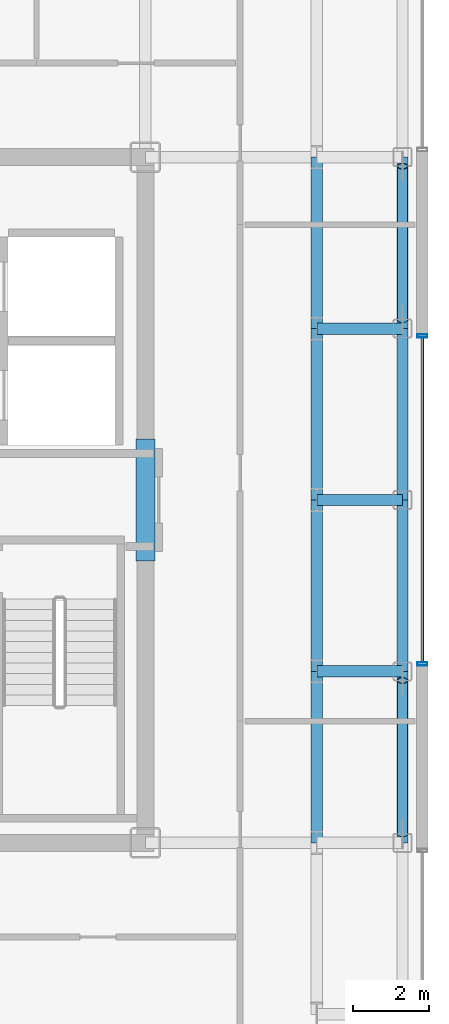
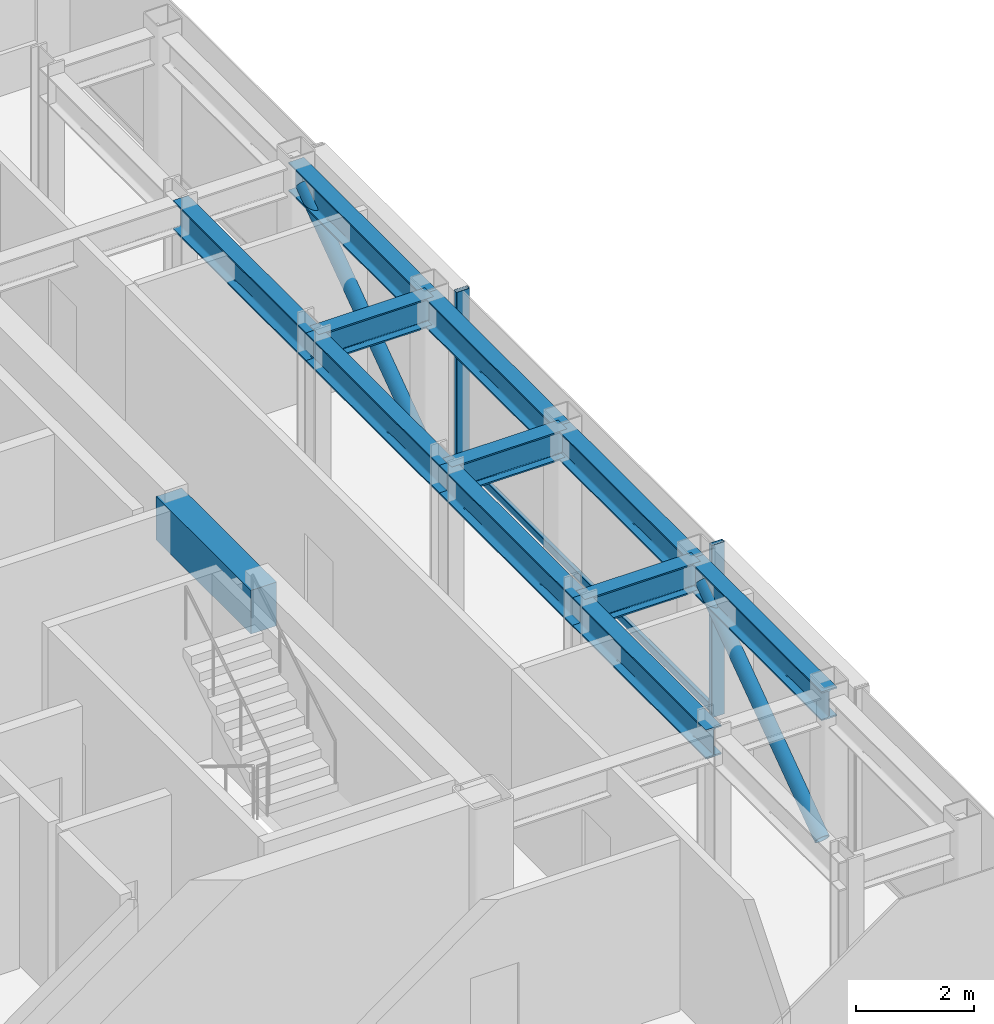
# One storey, part 6 of 18: 12 beams, 5 members, 1 element without a shape of its own.
"""IFC4 building model written with IfcOpenShell, lengths in metres."""

from ifc_helpers import new_model, si_unit, direction, frame, origin, origin_2d, place, context, subcontext, project, spatial, rectangle, hollow_rectangle, hollow_circle, i_section, extrude, source, transform, mapped, material, layer, layer_set, material_profile, profile_set, type_object, element, aggregate, save


model = new_model("IFC4")

# Units and contexts
model_context = context("Model", 3, precision=1e-05, world=origin(), true_north=direction((0.0, 1.0)))
body_context = subcontext(model_context, "Body", "Model", "MODEL_VIEW")
ifc_project = project(units=[si_unit("LENGTHUNIT", "METRE"), si_unit("AREAUNIT", "SQUARE_METRE"), si_unit("VOLUMEUNIT", "CUBIC_METRE"), si_unit("PLANEANGLEUNIT", "RADIAN"), si_unit("MASSUNIT", "GRAM", prefix="KILO")], contexts=[model_context])

# Site, building, storey
site_placement = place(None, origin())
site = spatial("IfcSite", under=ifc_project, at=site_placement, CompositionType="ELEMENT")
building_placement = place(site_placement, origin())
building = spatial("IfcBuilding", under=site, at=building_placement, Name="Nefas-Gora Pilgrimage Tower", CompositionType="ELEMENT")
storey_placement = place(building_placement, frame((0.0, 0.0, 298.800048828125)))
storey = spatial("IfcBuildingStorey", under=building, at=storey_placement, Name="L75", CompositionType="ELEMENT", Elevation=298.800048828125)

# Beams
ifc_material_1 = material(Name="Concrete C50/60", Category="concrete")
ifc_material_profile_1 = material_profile(ifc_material_1, rectangle(XDim=0.5, YDim=0.89990234375, at=origin_2d()), Name="RC 500x900")
ifc_profile_set_1 = profile_set([ifc_material_profile_1], Name="Concrete C50/60")
beam_type_1 = type_object("IfcBeamType", Name="BM-LIN-RC900", PredefinedType="LINTEL", material=ifc_profile_set_1)
shared_shape_1 = source(origin(), body_context, "Body", "SweptSolid", [
    extrude(rectangle(XDim=0.5, YDim=0.89990234375, at=origin_2d()), origin(), (0.0, 0.0, 1.0), 3.2001953125),
])
beam_placement = place(storey_placement, frame((11.25, -1.60009765625, 3.099853515625), z_axis=(0.0, 1.0, 0.0), x_axis=(-1.0, 0.0, 0.0)))
element("IfcBeam", 1, at=beam_placement, inside=storey, type_object=beam_type_1, Name="L75 Core Coupling Lintel Beam E", PredefinedType="LINTEL", context=body_context, shape_type="MappedRepresentation", body=[
    mapped(shared_shape_1, transform((0.0, 0.0, 0.0), x_axis=(1.0, 0.0, 0.0), y_axis=(0.0, 1.0, 0.0), z_axis=(0.0, 0.0, 1.0), scale=1.0)),
])
ifc_material_2 = material(Name="Steel S355", Category="steel")
ifc_material_profile_2 = material_profile(ifc_material_2, i_section(OverallWidth=0.300048828125, OverallDepth=0.60009765625, WebThickness=0.015380859375, FlangeThickness=0.030029296875, FilletRadius=0.027099609375, at=origin_2d()), Name="HEB 600")
ifc_profile_set_2 = profile_set([ifc_material_profile_2], Name="Steel S355")
beam_type_2 = type_object("IfcBeamType", Name="BM-SPN-HEB450", PredefinedType="SPANDREL", material=ifc_profile_set_2)
shared_shape_2 = source(origin(), body_context, "Body", "SweptSolid", [
    extrude(i_section(OverallWidth=0.300048828125, OverallDepth=0.60009765625, WebThickness=0.015380859375, FlangeThickness=0.030029296875, FilletRadius=0.027099609375, at=origin_2d()), origin(), (0.0, 0.0, 1.0), 4.5),
])
for number, where, z_axis, x_axis, name in (
    (2, (18.0, -9.0, 3.25), (0.0, 1.0, 0.0), (-1.0, 0.0, 0.0), "L75 SP-03 beam"),
    (3, (18.0, -4.5, 3.25), (0.0, 1.0, 0.0), (-1.0, 0.0, 0.0), "L75 SP-03 beam"),
    (4, (18.0, 0.0, 3.25), (0.0, 1.0, 0.0), (-1.0, 0.0, 0.0), "L75 SP-03 beam"),
    (5, (18.0, 4.5, 3.25), (0.0, 1.0, 0.0), (-1.0, 0.0, 0.0), "L75 SP-03 beam"),
):
    element("IfcBeam", number, at=place(storey_placement, frame(where, z_axis=z_axis, x_axis=x_axis)), inside=storey, type_object=beam_type_2, Name=name, PredefinedType="SPANDREL", context=body_context, shape_type="MappedRepresentation", body=[
        mapped(shared_shape_2, transform((0.0, 0.0, 0.0), x_axis=(1.0, 0.0, 0.0), y_axis=(0.0, 1.0, 0.0), z_axis=(0.0, 0.0, 1.0), scale=1.0)),
    ])
ifc_material_profile_3 = material_profile(ifc_material_2, i_section(OverallWidth=0.300048828125, OverallDepth=0.60009765625, WebThickness=0.015380859375, FlangeThickness=0.030029296875, FilletRadius=0.027099609375, at=origin_2d()), Name="HEB 600")
ifc_profile_set_3 = profile_set([ifc_material_profile_3], Name="Steel S355")
beam_type_3 = type_object("IfcBeamType", Name="BM-GIR-HEB600", PredefinedType="BEAM", material=ifc_profile_set_3)
shared_shape_3 = source(origin(), body_context, "Body", "SweptSolid", [
    extrude(i_section(OverallWidth=0.300048828125, OverallDepth=0.60009765625, WebThickness=0.015380859375, FlangeThickness=0.030029296875, FilletRadius=0.027099609375, at=origin_2d()), origin(), (0.0, 0.0, 1.0), 4.5),
])
for number, where, z_axis, x_axis, name in (
    (6, (15.75, -9.0, 3.25), (0.0, 1.0, 0.0), (-1.0, 0.0, 0.0), "L75 G-04 beam"),
    (7, (15.75, -4.5, 3.25), (0.0, 1.0, 0.0), (-1.0, 0.0, 0.0), "L75 G-04 beam"),
    (8, (15.75, 0.0, 3.25), (0.0, 1.0, 0.0), (-1.0, 0.0, 0.0), "L75 G-04 beam"),
    (9, (15.75, 4.5, 3.25), (0.0, 1.0, 0.0), (-1.0, 0.0, 0.0), "L75 G-04 beam"),
):
    element("IfcBeam", number, at=place(storey_placement, frame(where, z_axis=z_axis, x_axis=x_axis)), inside=storey, type_object=beam_type_3, Name=name, PredefinedType="BEAM", context=body_context, shape_type="MappedRepresentation", body=[
        mapped(shared_shape_3, transform((0.0, 0.0, 0.0), x_axis=(1.0, 0.0, 0.0), y_axis=(0.0, 1.0, 0.0), z_axis=(0.0, 0.0, 1.0), scale=1.0)),
    ])
shared_shape_4 = source(origin(), body_context, "Body", "SweptSolid", [
    extrude(i_section(OverallWidth=0.300048828125, OverallDepth=0.60009765625, WebThickness=0.015380859375, FlangeThickness=0.030029296875, FilletRadius=0.027099609375, at=origin_2d()), origin(), (0.0, 0.0, 1.0), 2.25),
])
for number, where, z_axis, x_axis, name in (
    (10, (15.75, -4.5, 3.25), (1.0, 0.0, 0.0), (0.0, 1.0, 0.0), "L75 G-04 beam"),
    (11, (15.75, 0.0, 3.25), (1.0, 0.0, 0.0), (0.0, 1.0, 0.0), "L75 G-04 beam"),
    (12, (15.75, 4.5, 3.25), (1.0, 0.0, 0.0), (0.0, 1.0, 0.0), "L75 G-04 beam"),
):
    element("IfcBeam", number, at=place(storey_placement, frame(where, z_axis=z_axis, x_axis=x_axis)), inside=storey, type_object=beam_type_3, Name=name, PredefinedType="BEAM", context=body_context, shape_type="MappedRepresentation", body=[
        mapped(shared_shape_4, transform((0.0, 0.0, 0.0), x_axis=(1.0, 0.0, 0.0), y_axis=(0.0, 1.0, 0.0), z_axis=(0.0, 0.0, 1.0), scale=1.0)),
    ])

# Members
ifc_material_profile_4 = material_profile(ifc_material_2, hollow_circle(Radius=0.136474609375, WallThickness=0.01611328125, at=origin_2d()), Name="CHS 273x16")
ifc_profile_set_4 = profile_set([ifc_material_profile_4], Name="Steel S355")
member_type_1 = type_object("IfcMemberType", Name="MEM-TUBE-273", PredefinedType="BRACE", material=ifc_profile_set_4)
shared_shape_5 = source(origin(), body_context, "Body", "SweptSolid", [
    extrude(hollow_circle(Radius=0.136474609375, WallThickness=0.01611328125, at=origin_2d()), origin(), (0.0, 0.0, 1.0), 4.947998046875),
])
for number, where, z_axis, x_axis, name in (
    (13, (18.0, -8.761962890625, 0.3203125), (0.0, 0.813239767156, 0.581928759485), (-1.0, 0.0, 0.0), "L75 Perimeter Tube Diagonal Brace E1"),
    (14, (18.0, 4.738037109375, 0.3203125), (0.0, 0.813239767156, 0.581928759485), (-1.0, 0.0, 0.0), "L75 Perimeter Tube Diagonal Brace E2"),
):
    element("IfcMember", number, at=place(storey_placement, frame(where, z_axis=z_axis, x_axis=x_axis)), inside=storey, type_object=member_type_1, Name=name, PredefinedType="BRACE", context=body_context, shape_type="MappedRepresentation", body=[
        mapped(shared_shape_5, transform((0.0, 0.0, 0.0), x_axis=(1.0, 0.0, 0.0), y_axis=(0.0, 1.0, 0.0), z_axis=(0.0, 0.0, 1.0), scale=1.0)),
    ])

# Curtain wall, members
ifc_material_3 = material(Name="Dark ceramic-fritted solar-control aluminium-glass curtain wall", Category="aluminium")
ifc_layer = layer(ifc_material_3, 0.219970703125)
ifc_layer_set = layer_set([ifc_layer], Name="Dark ceramic-fritted solar-control aluminium-glass curtain wall")
curtain_wall_type = type_object("IfcCurtainWallType", Name="CW-SYS-4", PredefinedType="NOTDEFINED", material=ifc_layer_set)
curtain_wall_placement = place(storey_placement, origin())
curtain_wall = element("IfcCurtainWall", 15, at=curtain_wall_placement, inside=storey, type_object=curtain_wall_type, Name="L75 Unitised Curtain Wall CW4", PredefinedType="NOTDEFINED")
ifc_material_4 = material(Name="Anodised architectural aluminium", Category="aluminium")
ifc_material_profile_5 = material_profile(ifc_material_4, hollow_rectangle(XDim=0.080078125, YDim=0.159912109375, WallThickness=0.00439453125, InnerFilletRadius=0.00439453125, OuterFilletRadius=0.009033203125, at=origin_2d()), Name="ALU TRANSOM 80x160")
ifc_profile_set_5 = profile_set([ifc_material_profile_5], Name="Anodised architectural aluminium")
member_type_2 = type_object("IfcMemberType", Name="CWM-TRN-4", PredefinedType="USERDEFINED", material=ifc_profile_set_5)
shared_shape_6 = source(origin(), body_context, "Body", "SweptSolid", [
    extrude(hollow_rectangle(XDim=0.080078125, YDim=0.159912109375, WallThickness=0.00439453125, InnerFilletRadius=0.00439453125, OuterFilletRadius=0.009033203125, at=origin_2d()), origin(), (0.0, 0.0, 1.0), 8.52001953125),
])
member_1_placement = place(storey_placement, frame((18.52001953125, -4.260009765625, 0.050048828125), z_axis=(0.0, 1.0, 0.0), x_axis=(-1.0, 0.0, 0.0)))
member_1 = element("IfcMember", 16, at=member_1_placement, type_object=member_type_2, Name="CW4 Spandrel Transom", ObjectType="TRANSOM", PredefinedType="USERDEFINED", context=body_context, shape_type="MappedRepresentation", body=[
    mapped(shared_shape_6, transform((0.0, 0.0, 0.0), x_axis=(1.0, 0.0, 0.0), y_axis=(0.0, 1.0, 0.0), z_axis=(0.0, 0.0, 1.0), scale=1.0)),
])
ifc_material_profile_6 = material_profile(ifc_material_4, hollow_rectangle(XDim=0.090087890625, YDim=0.260009765625, WallThickness=0.006103515625, InnerFilletRadius=0.006103515625, OuterFilletRadius=0.011962890625, at=origin_2d()), Name="ALU MULLION 90x260")
ifc_profile_set_6 = profile_set([ifc_material_profile_6], Name="Anodised architectural aluminium")
member_type_3 = type_object("IfcMemberType", Name="CWM-MUL-4", PredefinedType="MULLION", material=ifc_profile_set_6)
shared_shape_7 = source(origin(), body_context, "Body", "SweptSolid", [
    extrude(hollow_rectangle(XDim=0.090087890625, YDim=0.260009765625, WallThickness=0.006103515625, InnerFilletRadius=0.006103515625, OuterFilletRadius=0.011962890625, at=origin_2d()), origin(), (0.0, 0.0, 1.0), 3.550048828125),
])
member_2_placement = place(storey_placement, frame((18.52001953125, -4.304931640625, 0.0), z_axis=(0.0, 0.0, 1.0), x_axis=(0.0, 1.0, 0.0)))
member_2 = element("IfcMember", 17, at=member_2_placement, type_object=member_type_3, Name="CW4 Mullion 1", PredefinedType="MULLION", context=body_context, shape_type="MappedRepresentation", body=[
    mapped(shared_shape_7, transform((0.0, 0.0, 0.0), x_axis=(1.0, 0.0, 0.0), y_axis=(0.0, 1.0, 0.0), z_axis=(0.0, 0.0, 1.0), scale=1.0)),
])
member_3_placement = place(storey_placement, frame((18.52001953125, 4.304931640625, 0.0), z_axis=(0.0, 0.0, 1.0), x_axis=(0.0, 1.0, 0.0)))
member_3 = element("IfcMember", 18, at=member_3_placement, type_object=member_type_3, Name="CW4 Mullion 2", PredefinedType="MULLION", context=body_context, shape_type="MappedRepresentation", body=[
    mapped(shared_shape_7, transform((0.0, 0.0, 0.0), x_axis=(1.0, 0.0, 0.0), y_axis=(0.0, 1.0, 0.0), z_axis=(0.0, 0.0, 1.0), scale=1.0)),
])
aggregate(curtain_wall, [member_2, member_3, member_1])

save(model, "model.ifc")
